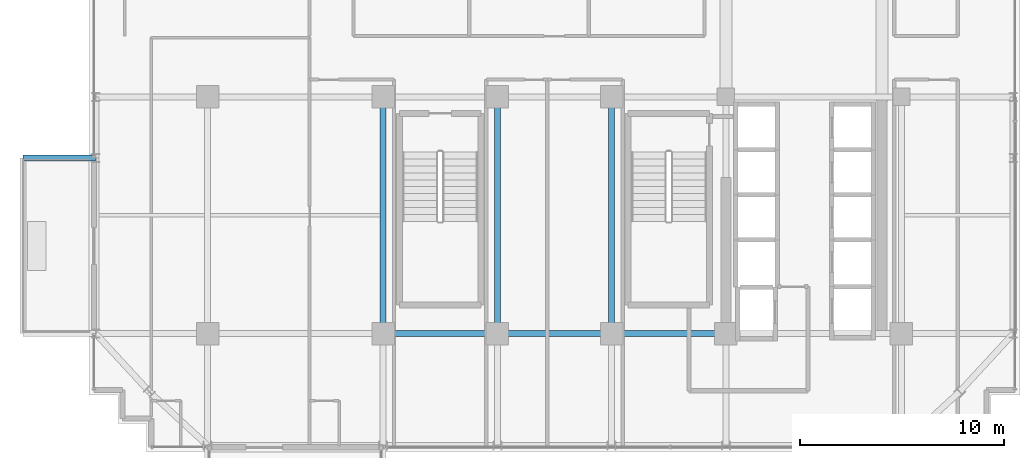
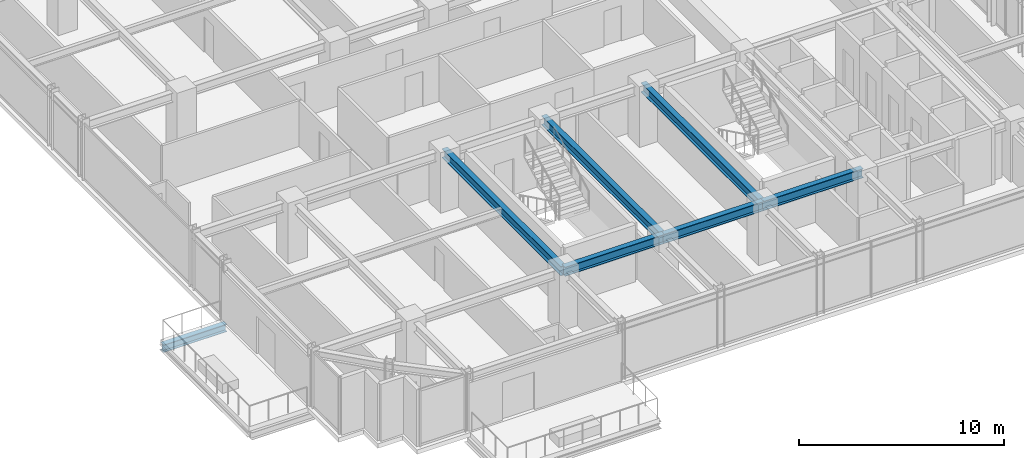
# One storey, part 8 of 31: 7 beams.
"""IFC4 building model written with IfcOpenShell, lengths in metres."""

import ifcopenshell
import ifcopenshell.guid

model = None  # the IFC model being written
_history = None  # IfcOwnerHistory: only IFC2X3 demands one
_inside = {}  # id of a spatial element -> (the spatial element, [elements in it])
_under = {}  # id of a project, library or spatial element -> (it, [spatial elements below it])
_declared = {}  # id of a project -> (the project, [libraries it declares])
_typed = {}  # id of a type object -> (the type object, [elements of that type])
_made_of = {}  # id of a material, layer set ... -> (it, [elements and type objects made of it])


def new_model(schema):
    """Start an empty IFC model of exactly this schema.

    Asked for "IFC4X3", IfcOpenShell would pick the latest addendum, in which some entities
    have other attributes; the version numbers below select the first issue.
    IFC2X3 requires an IfcOwnerHistory on every rooted entity: one is made here for all.
    """
    global model, _history
    if schema == "IFC4X3":
        model = ifcopenshell.file(schema_version=(4, 3, 0, 0))
    else:
        model = ifcopenshell.file(schema=schema)
    _inside.clear()
    _under.clear()
    _declared.clear()
    _typed.clear()
    _made_of.clear()
    _history = None
    if model.schema == "IFC2X3":
        org = make("IfcOrganization", Name="unknown")
        user = make(
            "IfcPersonAndOrganization",
            ThePerson=make("IfcPerson", FamilyName="unknown"),
            TheOrganization=org,
        )
        app = make(
            "IfcApplication",
            ApplicationDeveloper=org,
            Version="unknown",
            ApplicationFullName="unknown",
            ApplicationIdentifier="unknown",
        )
        _history = make(
            "IfcOwnerHistory",
            OwningUser=user,
            OwningApplication=app,
            ChangeAction="ADDED",
            CreationDate=0,
        )
    return model


def make(cls, **values):
    """One entity of the class cls with the attributes given. An attribute that is None is left unset."""
    return model.create_entity(
        cls, **{name: value for name, value in values.items() if value is not None}
    )


def rooted(cls, **values):
    """An entity with a GlobalId (a new one), such as an element, a storey or a relation."""
    return make(cls, GlobalId=ifcopenshell.guid.new(), OwnerHistory=_history, **values)


def si_unit(unit_type, name, prefix=None):
    """IfcSIUnit, for example si_unit("LENGTHUNIT", "METRE", prefix="MILLI")."""
    return make("IfcSIUnit", UnitType=unit_type, Prefix=prefix, Name=name)


def assignment(units):
    """IfcUnitAssignment: the units of a project."""
    return None if units is None else make("IfcUnitAssignment", Units=units)


def point(xyz):
    """IfcCartesianPoint."""
    return None if xyz is None else make("IfcCartesianPoint", Coordinates=xyz)


def direction(xyz):
    """IfcDirection."""
    return None if xyz is None else make("IfcDirection", DirectionRatios=xyz)


def frame(location, z_axis=None, x_axis=None):
    """IfcAxis2Placement3D, a coordinate frame: its origin and axes. An axis left out is left unset."""
    return make(
        "IfcAxis2Placement3D",
        Location=point(location),
        Axis=direction(z_axis),
        RefDirection=direction(x_axis),
    )


def frame_2d(location, x_axis=None):
    """IfcAxis2Placement2D, a coordinate frame in the plane: its origin and x axis."""
    return make(
        "IfcAxis2Placement2D", Location=point(location), RefDirection=direction(x_axis)
    )


def origin():
    """The frame at (0, 0, 0) with its axes left unset."""
    return frame((0.0, 0.0, 0.0))


def origin_2d():
    """The frame at (0, 0) in the plane with its x axis left unset."""
    return frame_2d((0.0, 0.0))


def place(relative_to, where):
    """IfcLocalPlacement: puts the frame where relative to a parent placement (None: the world)."""
    return make(
        "IfcLocalPlacement", PlacementRelTo=relative_to, RelativePlacement=where
    )


def context(
    kind, dimensions, precision=None, world=None, true_north=None, identifier=None
):
    """IfcGeometricRepresentationContext, for example the 3D "Model" context."""
    return make(
        "IfcGeometricRepresentationContext",
        ContextIdentifier=identifier,
        ContextType=kind,
        CoordinateSpaceDimension=dimensions,
        Precision=precision,
        WorldCoordinateSystem=world,
        TrueNorth=true_north,
    )


def subcontext(parent, identifier, kind, view, scale=None):
    """IfcGeometricRepresentationSubContext, for example "Body" below "Model"."""
    return make(
        "IfcGeometricRepresentationSubContext",
        ContextIdentifier=identifier,
        ContextType=kind,
        ParentContext=parent,
        TargetScale=scale,
        TargetView=view,
    )


def project(units=None, contexts=None):
    """IfcProject with its units and contexts."""
    return rooted(
        "IfcProject",
        Name="project",
        RepresentationContexts=contexts,
        UnitsInContext=assignment(units),
    )


def spatial(cls, under=None, at=None, **own):
    """A site, building, storey or space (cls), placed at a placement, below another one or the project."""
    s = rooted(cls, ObjectPlacement=at, **own)
    if under is not None:
        _under.setdefault(under.id(), (under, []))[1].append(s)
    return s


def profile(cls, at=None, kind="AREA", **sizes):
    """A parametric profile (cls). Its sizes go by their IFC names, for example OverallWidth=200.0."""
    return make(cls, ProfileType=kind, Position=at, **sizes)


def i_section(**sizes):
    """IfcIShapeProfileDef."""
    return profile("IfcIShapeProfileDef", **sizes)


def extrude(swept, where, along, depth):
    """IfcExtrudedAreaSolid: the profile swept, set in the frame where, extruded along a direction by depth."""
    return make(
        "IfcExtrudedAreaSolid",
        SweptArea=swept,
        Position=where,
        ExtrudedDirection=direction(along),
        Depth=depth,
    )


def shape(context_of_items, identifier, shape_type, items):
    """IfcShapeRepresentation: the items that make up one representation, for example the "Body"."""
    return make(
        "IfcShapeRepresentation",
        ContextOfItems=context_of_items,
        RepresentationIdentifier=identifier,
        RepresentationType=shape_type,
        Items=items,
    )


def source(mapping_origin, context_of_items, identifier, shape_type, items):
    """IfcRepresentationMap: a shape defined once, which mapped items show again and again."""
    return make(
        "IfcRepresentationMap",
        MappingOrigin=mapping_origin,
        MappedRepresentation=shape(context_of_items, identifier, shape_type, items),
    )


def transform(
    local_origin,
    x_axis=None,
    y_axis=None,
    z_axis=None,
    scale=None,
    scale2=None,
    scale3=None,
    uniform=True,
):
    """IfcCartesianTransformationOperator3D, or its non-uniform kind. x_axis, y_axis, z_axis: its Axis1, 2, 3."""
    if uniform:
        return make(
            "IfcCartesianTransformationOperator3D",
            Axis1=direction(x_axis),
            Axis2=direction(y_axis),
            LocalOrigin=point(local_origin),
            Scale=scale,
            Axis3=direction(z_axis),
        )
    return make(
        "IfcCartesianTransformationOperator3DnonUniform",
        Axis1=direction(x_axis),
        Axis2=direction(y_axis),
        LocalOrigin=point(local_origin),
        Scale=scale,
        Axis3=direction(z_axis),
        Scale2=scale2,
        Scale3=scale3,
    )


def mapped(mapping_source, mapping_target):
    """IfcMappedItem: shows the shape of a source again, moved by a transform."""
    return make(
        "IfcMappedItem", MappingSource=mapping_source, MappingTarget=mapping_target
    )


def material(Name=None, Category=None):
    """IfcMaterial."""
    return make("IfcMaterial", Name=Name, Category=Category)


def material_profile(
    of_material, cross_section, Name=None, Category=None, Priority=None
):
    """IfcMaterialProfile: a cross section and its material."""
    return make(
        "IfcMaterialProfile",
        Name=Name,
        Material=of_material,
        Profile=cross_section,
        Priority=Priority,
        Category=Category,
    )


def profile_set(profiles, Name=None, composite=None):
    """IfcMaterialProfileSet."""
    return make(
        "IfcMaterialProfileSet",
        Name=Name,
        MaterialProfiles=profiles,
        CompositeProfile=composite,
    )


def made_of(thing, what):
    """Note that an element or type object is made of a material, layer set ...; save() writes the relation."""
    if what is not None:
        _made_of.setdefault(what.id(), (what, []))[1].append(thing)
    return thing


def type_object(cls, material=None, **own):
    """A type object (cls), such as IfcWallType, which elements share."""
    return made_of(rooted(cls, **own), material)


def element(
    cls,
    number,
    at=None,
    inside=None,
    cuts=None,
    type_object=None,
    material=None,
    context=None,
    identifier="Body",
    shape_type=None,
    held_by="IfcProductDefinitionShape",
    body=None,
    shapes=None,
    **own,
):
    """One element of the class cls, such as IfcWall. Its Tag is "e" and its number.

    at: its placement. inside: the storey or other place that contains it. cuts: it is an
    opening in that element (IfcRelVoidsElement). A single representation is given by context,
    identifier, shape_type and body (its items); several are given by shapes. held_by: the class
    of the entity that holds the representations. save() writes the other relations.
    """
    e = rooted(cls, Tag="e%d" % number, ObjectPlacement=at, **own)
    if body is not None:
        shapes = [shape(context, identifier, shape_type, body)]
    if shapes is not None:
        e.Representation = make(held_by, Representations=shapes)
    if inside is not None:
        _inside.setdefault(inside.id(), (inside, []))[1].append(e)
    if cuts is not None:
        rooted(
            "IfcRelVoidsElement", RelatingBuildingElement=cuts, RelatedOpeningElement=e
        )
    if type_object is not None:
        _typed.setdefault(type_object.id(), (type_object, []))[1].append(e)
    return made_of(e, material)


def aggregate(whole, parts):
    """IfcRelAggregates: a whole, such as a stair, and the parts it consists of."""
    return rooted("IfcRelAggregates", RelatingObject=whole, RelatedObjects=parts)


def save(model, path):
    """Write the relations noted so far, then the file.

    IfcRelAggregates (storeys below a building ...), IfcRelContainedInSpatialStructure (elements
    in a storey), IfcRelDefinesByType, IfcRelAssociatesMaterial and IfcRelDeclares: one each for
    every whole, place, type object, material and project.
    """
    for whole, parts in _under.values():
        aggregate(whole, parts)
    for where, things in _inside.values():
        rooted(
            "IfcRelContainedInSpatialStructure",
            RelatedElements=things,
            RelatingStructure=where,
        )
    for kind, things in _typed.values():
        rooted("IfcRelDefinesByType", RelatedObjects=things, RelatingType=kind)
    for what, things in _made_of.values():
        rooted("IfcRelAssociatesMaterial", RelatedObjects=things, RelatingMaterial=what)
    for by, libraries in _declared.values():
        rooted("IfcRelDeclares", RelatingContext=by, RelatedDefinitions=libraries)
    model.write(path)


model = new_model("IFC4")

# Units and contexts
model_context = context("Model", 3, precision=1e-05, world=origin(), true_north=direction((0.0, 1.0)))
body_context = subcontext(model_context, "Body", "Model", "MODEL_VIEW")
ifc_project = project(units=[si_unit("LENGTHUNIT", "METRE"), si_unit("AREAUNIT", "SQUARE_METRE"), si_unit("VOLUMEUNIT", "CUBIC_METRE"), si_unit("PLANEANGLEUNIT", "RADIAN"), si_unit("MASSUNIT", "GRAM", prefix="KILO")], contexts=[model_context])

# Site, building, storey
site_placement = place(None, origin())
site = spatial("IfcSite", under=ifc_project, at=site_placement, CompositionType="ELEMENT")
building_placement = place(site_placement, origin())
building = spatial("IfcBuilding", under=site, at=building_placement, Name="Nahalor Promenade Grand Hotel", CompositionType="ELEMENT")
storey_placement = place(building_placement, frame((0.0, 0.0, 156.300048828125)))
storey = spatial("IfcBuildingStorey", under=building, at=storey_placement, Name="L39", CompositionType="ELEMENT", Elevation=156.300048828125)

# Beams
ifc_material = material(Name="Steel S355JR", Category="steel")
ifc_material_profile_1 = material_profile(ifc_material, i_section(OverallWidth=0.3, OverallDepth=0.45, WebThickness=0.014, FlangeThickness=0.026, at=origin_2d()), Name="HEB 450")
ifc_profile_set_1 = profile_set([ifc_material_profile_1], Name="Steel S355JR")
beam_type_1 = type_object("IfcBeamType", Name="Beam-Outrigger-HEB450", PredefinedType="BEAM", material=ifc_profile_set_1)
shared_shape_1 = source(origin(), body_context, "Body", "SweptSolid", [
    extrude(i_section(OverallWidth=0.3, OverallDepth=0.45, WebThickness=0.014, FlangeThickness=0.026, at=origin_2d()), origin(), (0.0, 0.0, 1.0), 3.56005859375),
])
beam_1_placement = place(storey_placement, frame((-26.0400390625, -8.39990234375, -0.505126953125), z_axis=(1.0, 0.0, 0.0), x_axis=(0.0, 1.0, 0.0)))
element("IfcBeam", 1, at=beam_1_placement, inside=storey, type_object=beam_type_1, Name="BM-L39-BC-02-2", PredefinedType="BEAM", context=body_context, shape_type="MappedRepresentation", body=[
    mapped(shared_shape_1, transform((0.0, 0.0, 0.0), scale=1.0)),
])
ifc_material_profile_2 = material_profile(ifc_material, i_section(OverallWidth=0.3, OverallDepth=0.55, WebThickness=0.015, FlangeThickness=0.029, at=origin_2d()), Name="HEB 550")
ifc_profile_set_2 = profile_set([ifc_material_profile_2], Name="Steel S355JR")
beam_type_2 = type_object("IfcBeamType", Name="Beam-Girder-HEB550", PredefinedType="BEAM", material=ifc_profile_set_2)
shared_shape_2 = source(origin(), body_context, "Body", "SweptSolid", [
    extrude(i_section(OverallWidth=0.3, OverallDepth=0.55, WebThickness=0.015, FlangeThickness=0.029, at=origin_2d()), origin(), (0.0, 0.0, 1.0), 5.599853515625),
])
for number, where, z_axis, x_axis, name in (
    (2, (-8.39990234375, -17.0, 3.114990234375), (1.0, 0.0, 0.0), (0.0, 1.0, 0.0), "BM-L39-GX-0-2"),
    (3, (2.800048828125, -17.0, 3.114990234375), (1.0, 0.0, 0.0), (0.0, 1.0, 0.0), "BM-L39-GX-0-4"),
):
    element("IfcBeam", number, at=place(storey_placement, frame(where, z_axis=z_axis, x_axis=x_axis)), inside=storey, type_object=beam_type_2, Name=name, PredefinedType="BEAM", context=body_context, shape_type="MappedRepresentation", body=[
        mapped(shared_shape_2, transform((0.0, 0.0, 0.0), scale=1.0)),
    ])
shared_shape_3 = source(origin(), body_context, "Body", "SweptSolid", [
    extrude(i_section(OverallWidth=0.3, OverallDepth=0.55, WebThickness=0.015, FlangeThickness=0.029, at=origin_2d()), origin(), (0.0, 0.0, 1.0), 5.60009765625),
])
beam_2_placement = place(storey_placement, frame((-2.800048828125, -17.0, 3.114990234375), z_axis=(1.0, 0.0, 0.0), x_axis=(0.0, 1.0, 0.0)))
element("IfcBeam", 4, at=beam_2_placement, inside=storey, type_object=beam_type_2, Name="BM-L39-GX-0-3", PredefinedType="BEAM", context=body_context, shape_type="MappedRepresentation", body=[
    mapped(shared_shape_3, transform((0.0, 0.0, 0.0), scale=1.0)),
])
shared_shape_4 = source(origin(), body_context, "Body", "SweptSolid", [
    extrude(i_section(OverallWidth=0.3, OverallDepth=0.55, WebThickness=0.015, FlangeThickness=0.029, at=origin_2d()), origin(), (0.0, 0.0, 1.0), 11.60009765625),
])
for number, where, z_axis, x_axis, name in (
    (5, (-8.39990234375, -17.0, 3.114990234375), (0.0, 1.0, 0.0), (-1.0, 0.0, 0.0), "BM-L39-GY-1-1"),
    (6, (-2.800048828125, -17.0, 3.114990234375), (0.0, 1.0, 0.0), (-1.0, 0.0, 0.0), "BM-L39-GY-2-1"),
    (7, (2.800048828125, -17.0, 3.114990234375), (0.0, 1.0, 0.0), (-1.0, 0.0, 0.0), "BM-L39-GY-3-1"),
):
    element("IfcBeam", number, at=place(storey_placement, frame(where, z_axis=z_axis, x_axis=x_axis)), inside=storey, type_object=beam_type_2, Name=name, PredefinedType="BEAM", context=body_context, shape_type="MappedRepresentation", body=[
        mapped(shared_shape_4, transform((0.0, 0.0, 0.0), scale=1.0)),
    ])

save(model, "model.ifc")
